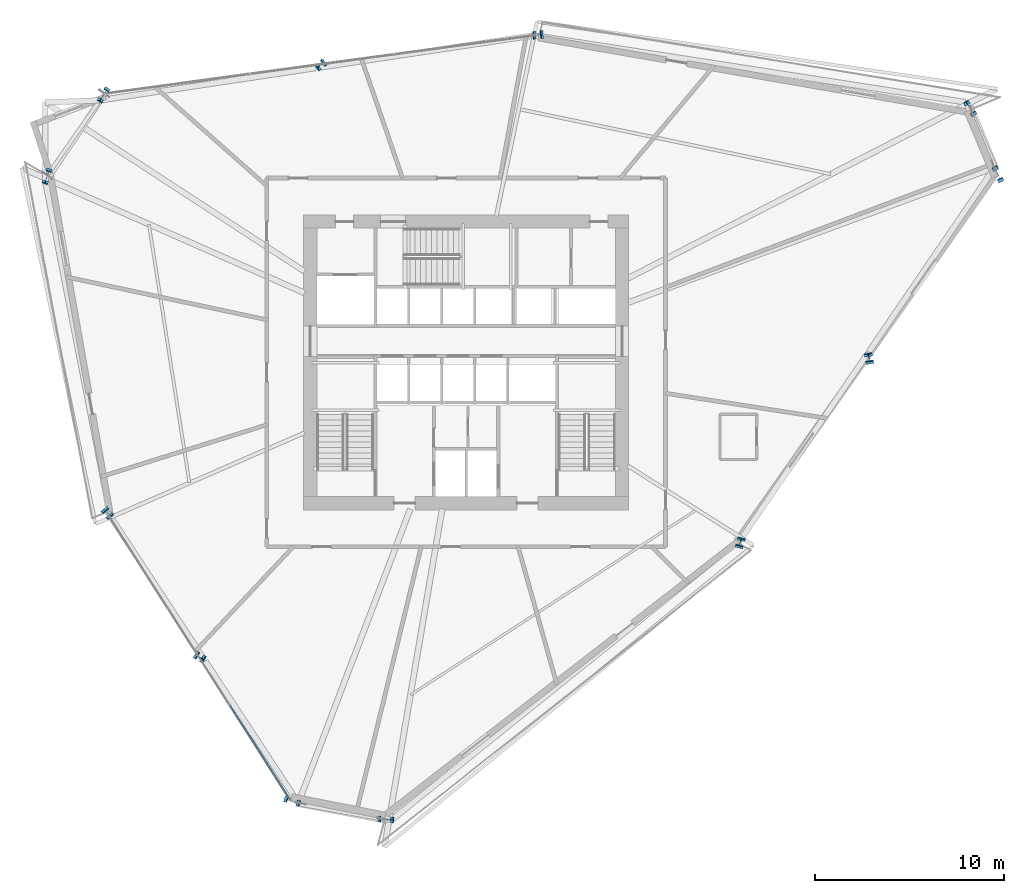
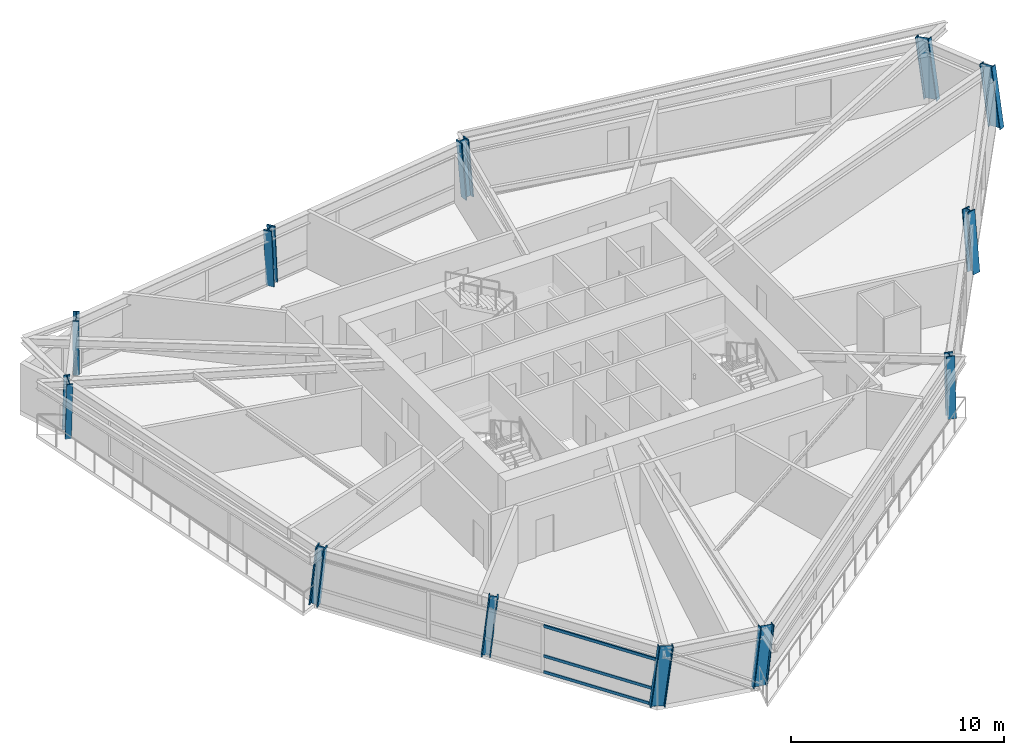
# One storey, part 1 of 16: 12 columns, 3 members, 1 element without a shape of its own.
"""IFC4 building model written with IfcOpenShell, lengths in metres."""

from ifc_helpers import new_model, si_unit, direction, frame, origin, origin_2d, place, context, subcontext, project, spatial, hollow_rectangle, i_section, extrude, source, transform, mapped, material, material_profile, profile_set, type_object, element, aggregate, save


model = new_model("IFC4")

# Units and contexts
model_context = context("Model", 3, precision=1e-05, world=origin(), true_north=direction((0.0, 1.0)))
body_context = subcontext(model_context, "Body", "Model", "MODEL_VIEW")
ifc_project = project(units=[si_unit("LENGTHUNIT", "METRE"), si_unit("AREAUNIT", "SQUARE_METRE"), si_unit("VOLUMEUNIT", "CUBIC_METRE"), si_unit("PLANEANGLEUNIT", "RADIAN"), si_unit("MASSUNIT", "GRAM", prefix="KILO")], contexts=[model_context])

# Site, building, storey
site_placement = place(None, origin())
site = spatial("IfcSite", under=ifc_project, at=site_placement, CompositionType="ELEMENT")
building_placement = place(site_placement, origin())
building = spatial("IfcBuilding", under=site, at=building_placement, Name="Olszyna Solenne Hotel", CompositionType="ELEMENT")
storey_placement = place(building_placement, frame((0.0, 0.0, 127.0)))
storey = spatial("IfcBuildingStorey", under=building, at=storey_placement, Name="L33", CompositionType="ELEMENT", Elevation=127.0)

# Columns
ifc_material_1 = material(Name="Steel S460M", Category="steel")
ifc_material_profile_1 = material_profile(ifc_material_1, i_section(OverallWidth=0.41796875, OverallDepth=0.455078125, WebThickness=0.03759765625, FlangeThickness=0.05908203125, at=origin_2d()), Name="HD 400x551", Category="load-bearing")
ifc_profile_set_1 = profile_set([ifc_material_profile_1], Name="Steel S460M")
column_type_1 = type_object("IfcColumnType", Name="COL-T2", PredefinedType="COLUMN", material=ifc_profile_set_1)
shared_shape_1 = source(origin(), body_context, "Body", "SweptSolid", [
    extrude(i_section(OverallWidth=0.41796875, OverallDepth=0.455078125, WebThickness=0.03759765625, FlangeThickness=0.05908203125, at=origin_2d()), origin(), (0.0, 0.0, 1.0), 3.397705078125),
])
column_1_placement = place(storey_placement, frame((52.486572265625, 17.009765625, 0.0), z_axis=(0.023784635313, 0.082635439911, 0.996295977706), x_axis=(-0.960986046082, 0.276596853264, 0.0)))
element("IfcColumn", 1, at=column_1_placement, inside=storey, type_object=column_type_1, Name="Perimeter framed-tube column COL-T2 C-L33-11", PredefinedType="COLUMN", context=body_context, shape_type="MappedRepresentation", body=[
    mapped(shared_shape_1, transform((0.0, 0.0, 0.0), x_axis=(1.0, 0.0, 0.0), y_axis=(0.0, 1.0, 0.0), z_axis=(0.0, 0.0, 1.0), scale=1.0)),
])
shared_shape_2 = source(origin(), body_context, "Body", "SweptSolid", [
    extrude(i_section(OverallWidth=0.41796875, OverallDepth=0.455078125, WebThickness=0.03759765625, FlangeThickness=0.05908203125, at=origin_2d()), origin(), (0.0, 0.0, 1.0), 3.40478515625),
])
column_2_placement = place(storey_placement, frame((59.325439453125, 26.7421875, 0.0), z_axis=(-0.018428325384, 0.105980797343, 0.994197398618), x_axis=(-0.985216646805, -0.171313043457, 0.0)))
element("IfcColumn", 2, at=column_2_placement, inside=storey, type_object=column_type_1, Name="Perimeter framed-tube column COL-T2 C-L33-12", PredefinedType="COLUMN", context=body_context, shape_type="MappedRepresentation", body=[
    mapped(shared_shape_2, transform((0.0, 0.0, 0.0), x_axis=(1.0, 0.0, 0.0), y_axis=(0.0, 1.0, 0.0), z_axis=(0.0, 0.0, 1.0), scale=1.0)),
])
ifc_material_profile_2 = material_profile(ifc_material_1, i_section(OverallWidth=0.303955078125, OverallDepth=0.716064453125, WebThickness=0.02099609375, FlangeThickness=0.0400390625, at=origin_2d()), Name="HEM 700", Category="load-bearing")
ifc_profile_set_2 = profile_set([ifc_material_profile_2], Name="Steel S460M")
column_type_2 = type_object("IfcColumnType", Name="COL-K2", PredefinedType="COLUMN", material=ifc_profile_set_2)
shared_shape_3 = source(origin(), body_context, "Body", "SweptSolid", [
    extrude(i_section(OverallWidth=0.303955078125, OverallDepth=0.716064453125, WebThickness=0.02099609375, FlangeThickness=0.0400390625, at=origin_2d()), origin(), (0.0, 0.0, 1.0), 3.408203125),
])
column_3_placement = place(storey_placement, frame((18.861083984375, 40.80859375, 0.0), z_axis=(-0.060674988564, -0.099143074584, 0.993221625079), x_axis=(0.852946505989, -0.521998331339, 0.0)))
element("IfcColumn", 3, at=column_3_placement, inside=storey, type_object=column_type_2, Name="Perimeter framed-tube column COL-K2 C-L33-05", PredefinedType="COLUMN", context=body_context, shape_type="MappedRepresentation", body=[
    mapped(shared_shape_3, transform((0.0, 0.0, 0.0), x_axis=(1.0, 0.0, 0.0), y_axis=(0.0, 1.0, 0.0), z_axis=(0.0, 0.0, 1.0), scale=1.0)),
])
shared_shape_4 = source(origin(), body_context, "Body", "SweptSolid", [
    extrude(i_section(OverallWidth=0.303955078125, OverallDepth=0.716064453125, WebThickness=0.02099609375, FlangeThickness=0.0400390625, at=origin_2d()), origin(), (0.0, 0.0, 1.0), 3.419921875),
])
column_4_placement = place(storey_placement, frame((66.164306640625, 36.474609375, 0.0), z_axis=(-0.060324237266, 0.1289296716, 0.989817218571), x_axis=(-0.905759865851, -0.42379129936, 0.0)))
element("IfcColumn", 4, at=column_4_placement, inside=storey, type_object=column_type_2, Name="Perimeter framed-tube column COL-K2 C-L33-01", PredefinedType="COLUMN", context=body_context, shape_type="MappedRepresentation", body=[
    mapped(shared_shape_4, transform((0.0, 0.0, 0.0), x_axis=(1.0, 0.0, 0.0), y_axis=(0.0, 1.0, 0.0), z_axis=(0.0, 0.0, 1.0), scale=1.0)),
])
shared_shape_5 = source(origin(), body_context, "Body", "SweptSolid", [
    extrude(i_section(OverallWidth=0.41796875, OverallDepth=0.455078125, WebThickness=0.03759765625, FlangeThickness=0.05908203125, at=origin_2d()), origin(), (0.0, 0.0, 1.0), 3.404296875),
])
column_5_placement = place(storey_placement, frame((23.85888671875, 11.043701171875, 0.0), z_axis=(0.090436033157, -0.055294354928, 0.994366058461), x_axis=(0.521641566686, 0.853164741363, 0.0)))
element("IfcColumn", 5, at=column_5_placement, inside=storey, type_object=column_type_1, Name="Perimeter framed-tube column COL-T2 C-L33-08", PredefinedType="COLUMN", context=body_context, shape_type="MappedRepresentation", body=[
    mapped(shared_shape_5, transform((0.0, 0.0, 0.0), x_axis=(1.0, 0.0, 0.0), y_axis=(0.0, 1.0, 0.0), z_axis=(0.0, 0.0, 1.0), scale=1.0)),
])
shared_shape_6 = source(origin(), body_context, "Body", "SweptSolid", [
    extrude(i_section(OverallWidth=0.41796875, OverallDepth=0.455078125, WebThickness=0.03759765625, FlangeThickness=0.05908203125, at=origin_2d()), origin(), (0.0, 0.0, 1.0), 3.398681640625),
])
column_6_placement = place(storey_placement, frame((30.3544921875, 42.368408203125, 0.0), z_axis=(-0.071904457883, -0.053802636318, 0.995959349201), x_axis=(0.5991037677, -0.800671390477, 0.0)))
element("IfcColumn", 6, at=column_6_placement, inside=storey, type_object=column_type_1, Name="Perimeter framed-tube column COL-T2 C-L33-04", PredefinedType="COLUMN", context=body_context, shape_type="MappedRepresentation", body=[
    mapped(shared_shape_6, transform((0.0, 0.0, 0.0), x_axis=(1.0, 0.0, 0.0), y_axis=(0.0, 1.0, 0.0), z_axis=(0.0, 0.0, 1.0), scale=1.0)),
])
shared_shape_7 = source(origin(), body_context, "Body", "SweptSolid", [
    extrude(i_section(OverallWidth=0.303955078125, OverallDepth=0.716064453125, WebThickness=0.02099609375, FlangeThickness=0.0400390625, at=origin_2d()), origin(), (0.0, 0.0, 1.0), 3.40380859375),
])
column_7_placement = place(storey_placement, frame((15.856689453125, 36.501953125, 0.0), z_axis=(-0.031917477639, -0.100127637717, 0.994462533626), x_axis=(0.952764304603, -0.30371068449, 0.0)))
element("IfcColumn", 7, at=column_7_placement, inside=storey, type_object=column_type_2, Name="Perimeter framed-tube column COL-K2 C-L33-06", PredefinedType="COLUMN", context=body_context, shape_type="MappedRepresentation", body=[
    mapped(shared_shape_7, transform((0.0, 0.0, 0.0), x_axis=(1.0, 0.0, 0.0), y_axis=(0.0, 1.0, 0.0), z_axis=(0.0, 0.0, 1.0), scale=1.0)),
])
shared_shape_8 = source(origin(), body_context, "Body", "SweptSolid", [
    extrude(i_section(OverallWidth=0.41796875, OverallDepth=0.455078125, WebThickness=0.03759765625, FlangeThickness=0.05908203125, at=origin_2d()), origin(), (0.0, 0.0, 1.0), 3.40185546875),
])
column_8_placement = place(storey_placement, frame((18.99267578125, 18.6748046875, 0.0), z_axis=(0.06279761444, -0.07672074267, 0.995073056245), x_axis=(0.773828274732, 0.633395454061, 0.0)))
element("IfcColumn", 8, at=column_8_placement, inside=storey, type_object=column_type_1, Name="Perimeter framed-tube column COL-T2 C-L33-07", PredefinedType="COLUMN", context=body_context, shape_type="MappedRepresentation", body=[
    mapped(shared_shape_8, transform((0.0, 0.0, 0.0), x_axis=(1.0, 0.0, 0.0), y_axis=(0.0, 1.0, 0.0), z_axis=(0.0, 0.0, 1.0), scale=1.0)),
])
shared_shape_9 = source(origin(), body_context, "Body", "SweptSolid", [
    extrude(i_section(OverallWidth=0.303955078125, OverallDepth=0.716064453125, WebThickness=0.02099609375, FlangeThickness=0.0400390625, at=origin_2d()), origin(), (0.0, 0.0, 1.0), 3.415283203125),
])
column_9_placement = place(storey_placement, frame((64.705078125, 39.97119140625, 0.0), z_axis=(-0.071982830574, 0.111941522024, 0.991104216392), x_axis=(-0.841108663923, -0.540866171501, 0.0)))
element("IfcColumn", 9, at=column_9_placement, inside=storey, type_object=column_type_2, Name="Perimeter framed-tube column COL-K2 C-L33-02", PredefinedType="COLUMN", context=body_context, shape_type="MappedRepresentation", body=[
    mapped(shared_shape_9, transform((0.0, 0.0, 0.0), x_axis=(1.0, 0.0, 0.0), y_axis=(0.0, 1.0, 0.0), z_axis=(0.0, 0.0, 1.0), scale=1.0)),
])
shared_shape_10 = source(origin(), body_context, "Body", "SweptSolid", [
    extrude(i_section(OverallWidth=0.41796875, OverallDepth=0.455078125, WebThickness=0.03759765625, FlangeThickness=0.05908203125, at=origin_2d()), origin(), (0.0, 0.0, 1.0), 3.396728515625),
])
column_10_placement = place(storey_placement, frame((41.84765625, 43.928466796875, 0.0), z_axis=(-0.082941573755, -0.008193535016, 0.996520727997), x_axis=(0.098308305656, -0.995156006382, 0.0)))
element("IfcColumn", 10, at=column_10_placement, inside=storey, type_object=column_type_1, Name="Perimeter framed-tube column COL-T2 C-L33-03", PredefinedType="COLUMN", context=body_context, shape_type="MappedRepresentation", body=[
    mapped(shared_shape_10, transform((0.0, 0.0, 0.0), x_axis=(1.0, 0.0, 0.0), y_axis=(0.0, 1.0, 0.0), z_axis=(0.0, 0.0, 1.0), scale=1.0)),
])
shared_shape_11 = source(origin(), body_context, "Body", "SweptSolid", [
    extrude(i_section(OverallWidth=0.303955078125, OverallDepth=0.716064453125, WebThickness=0.02099609375, FlangeThickness=0.0400390625, at=origin_2d()), origin(), (0.0, 0.0, 1.0), 3.41064453125),
])
column_11_placement = place(storey_placement, frame((28.725341796875, 3.412841796875, 0.0), z_axis=(0.117749905204, -0.033929152016, 0.992463486718), x_axis=(0.276880636988, 0.960904320347, 0.0)))
element("IfcColumn", 11, at=column_11_placement, inside=storey, type_object=column_type_2, Name="Perimeter framed-tube column COL-K2 C-L33-09", PredefinedType="COLUMN", context=body_context, shape_type="MappedRepresentation", body=[
    mapped(shared_shape_11, transform((0.0, 0.0, 0.0), x_axis=(1.0, 0.0, 0.0), y_axis=(0.0, 1.0, 0.0), z_axis=(0.0, 0.0, 1.0), scale=1.0)),
])
shared_shape_12 = source(origin(), body_context, "Body", "SweptSolid", [
    extrude(i_section(OverallWidth=0.303955078125, OverallDepth=0.716064453125, WebThickness=0.02099609375, FlangeThickness=0.0400390625, at=origin_2d()), origin(), (0.0, 0.0, 1.0), 3.40478515625),
])
column_12_placement = place(storey_placement, frame((33.687255859375, 2.430419921875, 0.0), z_axis=(0.107554746128, -0.008317567034, 0.994164370043), x_axis=(0.077103121545, 0.997023123427, 0.0)))
element("IfcColumn", 12, at=column_12_placement, inside=storey, type_object=column_type_2, Name="Perimeter framed-tube column COL-K2 C-L33-10", PredefinedType="COLUMN", context=body_context, shape_type="MappedRepresentation", body=[
    mapped(shared_shape_12, transform((0.0, 0.0, 0.0), x_axis=(1.0, 0.0, 0.0), y_axis=(0.0, 1.0, 0.0), z_axis=(0.0, 0.0, 1.0), scale=1.0)),
])

# Curtain wall, members
ifc_material_2 = material(Name="Anodised bronze aluminium", Category="aluminium")
curtain_wall_type = type_object("IfcCurtainWallType", Name="CW-SYS-3", PredefinedType="NOTDEFINED", material=ifc_material_2)
curtain_wall_placement = place(storey_placement, origin())
curtain_wall = element("IfcCurtainWall", 13, at=curtain_wall_placement, inside=storey, type_object=curtain_wall_type, Name="Unitised curtain wall CW-SYS-3 CW-L33-01", PredefinedType="NOTDEFINED")
ifc_material_profile_3 = material_profile(ifc_material_2, hollow_rectangle(XDim=0.074951171875, YDim=0.159912109375, WallThickness=0.00390625, at=origin_2d()), Name="TRAN 160x75x4", Category="load-bearing")
ifc_profile_set_3 = profile_set([ifc_material_profile_3], Name="Anodised bronze aluminium")
member_type = type_object("IfcMemberType", Name="CW-T1", PredefinedType="USERDEFINED", material=ifc_profile_set_3)
shared_shape_13 = source(origin(), body_context, "Body", "SweptSolid", [
    extrude(hollow_rectangle(XDim=0.074951171875, YDim=0.159912109375, WallThickness=0.00390625, at=origin_2d()), origin(), (0.0, 0.0, 1.0), 5.921142578125),
])
member_1_placement = place(storey_placement, frame((25.501220703125, 8.468505859375, 0.03759765625), z_axis=(0.537696952437, -0.843138178083, 0.0), x_axis=(0.843138178083, 0.537696952437, 0.0)))
member_1 = element("IfcMember", 14, at=member_1_placement, type_object=member_type, Name="Curtain-wall transom CW-T1 CT-L33-01-07", ObjectType="TRANSOM", PredefinedType="USERDEFINED", context=body_context, shape_type="MappedRepresentation", body=[
    mapped(shared_shape_13, transform((0.0, 0.0, 0.0), x_axis=(1.0, 0.0, 0.0), y_axis=(0.0, 1.0, 0.0), z_axis=(0.0, 0.0, 1.0), scale=1.0)),
])
member_2_placement = place(storey_placement, frame((25.501220703125, 8.468505859375, 0.949951171875), z_axis=(0.537696952437, -0.843138178083, 0.0), x_axis=(0.843138178083, 0.537696952437, 0.0)))
member_2 = element("IfcMember", 15, at=member_2_placement, type_object=member_type, Name="Curtain-wall transom CW-T1 CT-L33-01-08", ObjectType="TRANSOM", PredefinedType="USERDEFINED", context=body_context, shape_type="MappedRepresentation", body=[
    mapped(shared_shape_13, transform((0.0, 0.0, 0.0), x_axis=(1.0, 0.0, 0.0), y_axis=(0.0, 1.0, 0.0), z_axis=(0.0, 0.0, 1.0), scale=1.0)),
])
member_3_placement = place(storey_placement, frame((25.501220703125, 8.468505859375, 2.654541015625), z_axis=(0.537696952437, -0.843138178083, 0.0), x_axis=(0.843138178083, 0.537696952437, 0.0)))
member_3 = element("IfcMember", 16, at=member_3_placement, type_object=member_type, Name="Curtain-wall transom CW-T1 CT-L33-01-09", ObjectType="TRANSOM", PredefinedType="USERDEFINED", context=body_context, shape_type="MappedRepresentation", body=[
    mapped(shared_shape_13, transform((0.0, 0.0, 0.0), x_axis=(1.0, 0.0, 0.0), y_axis=(0.0, 1.0, 0.0), z_axis=(0.0, 0.0, 1.0), scale=1.0)),
])
aggregate(curtain_wall, [member_1, member_2, member_3])

save(model, "model.ifc")
